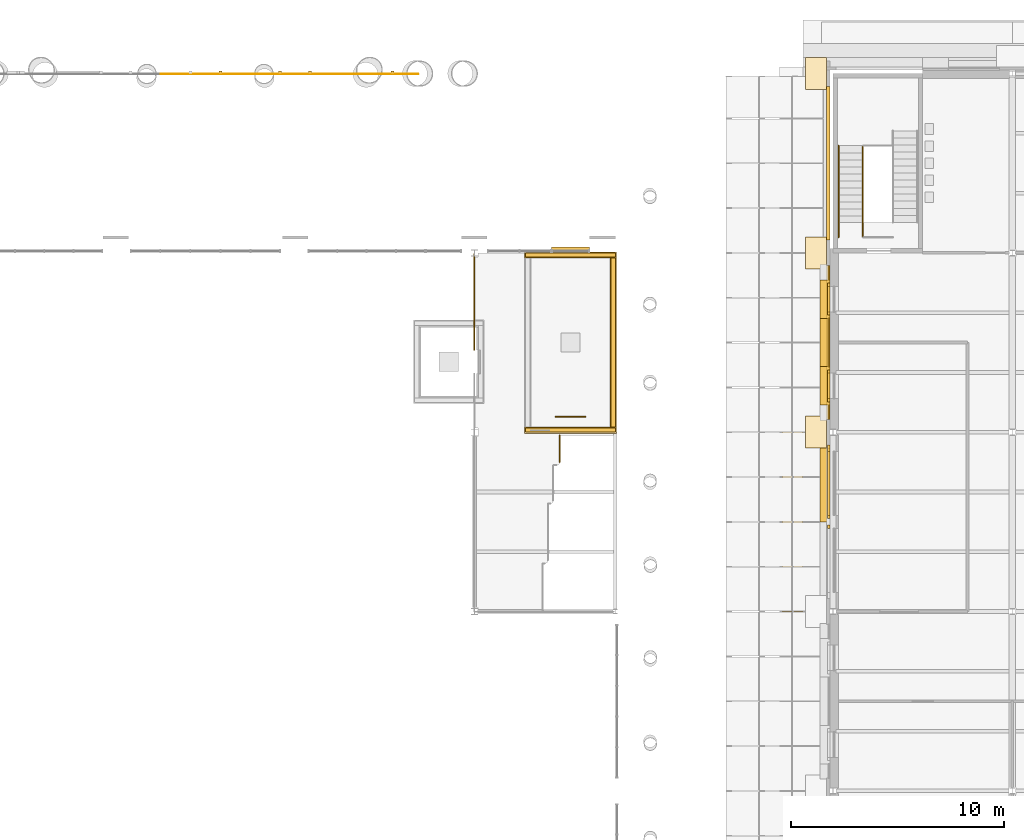
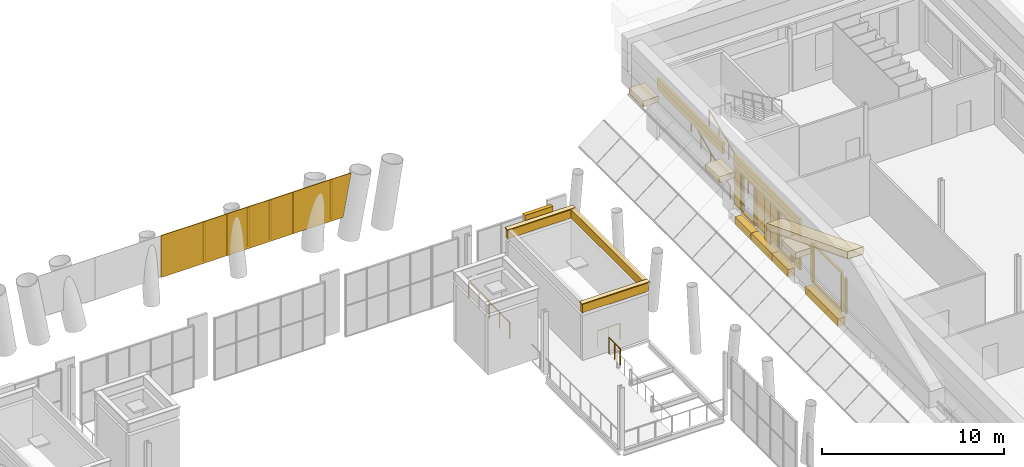
# One storey, part 69 of 76: 42 coverings, 5 railings.
"""IFC4 building model written with IfcOpenShell, lengths in metres."""

from ifc_helpers import new_model, si_unit, direction, frame, origin, origin_2d, place, context, subcontext, project, spatial, polyline, rectangle, circle, outline, extrude, material, layer, layer_set, material_profile, profile_set, type_object, element, save


model = new_model("IFC4")

# Units and contexts
model_context = context("Model", 3, precision=1e-05, world=origin(), true_north=direction((0.0, 1.0)))
body_context = subcontext(model_context, "Body", "Model", "MODEL_VIEW")
ifc_project = project(units=[si_unit("LENGTHUNIT", "METRE"), si_unit("AREAUNIT", "SQUARE_METRE"), si_unit("VOLUMEUNIT", "CUBIC_METRE"), si_unit("PLANEANGLEUNIT", "RADIAN"), si_unit("MASSUNIT", "GRAM", prefix="KILO")], contexts=[model_context])

# Site, building, storey
site_placement = place(None, origin())
site = spatial("IfcSite", under=ifc_project, at=site_placement, CompositionType="ELEMENT")
building_placement = place(site_placement, origin())
building = spatial("IfcBuilding", under=site, at=building_placement, Name="Sava Quay Ferry Terminal", CompositionType="ELEMENT")
storey_placement = place(building_placement, frame((0.0, 0.0, 10.800048828125)))
storey = spatial("IfcBuildingStorey", under=building, at=storey_placement, Name="L02", CompositionType="ELEMENT", Elevation=10.800048828125)

# Covering
ifc_material_1 = material(Name="Copper patinated")
ifc_layer_1 = layer(ifc_material_1, 0.25)
ifc_layer_set_1 = layer_set([ifc_layer_1], Name="Copper patinated")
covering_type_1 = type_object("IfcCoveringType", Name="Copper spandrel panel 250", PredefinedType="CLADDING", material=ifc_layer_set_1)
covering_1_placement = place(storey_placement, frame((79.219970703125, 100.9599609375, 3.449951171875), z_axis=(0.0, 0.0, 1.0), x_axis=(1.0, 0.0, 0.0)))
element("IfcCovering", 1, at=covering_1_placement, inside=storey, type_object=covering_type_1, Name="Spandrel panel D-N", PredefinedType="CLADDING", context=body_context, shape_type="SweptSolid", body=[
    extrude(outline(polyline([(0.0, 0.0), (1.780029296875, 0.0), (1.780029296875, 0.75), (0.0, 0.75), (0.0, 0.0)])), frame((0.0, 0.125, 0.0), z_axis=(0.0, -1.0, 0.0), x_axis=(1.0, 0.0, 0.0)), (0.0, 0.0, 1.0), 0.25),
])

# Railings
ifc_material_2 = material(Name="Steel S355", Category="steel")
railing_type_1 = type_object("IfcRailingType", Name="Guard 1100", PredefinedType="GUARDRAIL", material=ifc_material_2)
railing_1_placement = place(storey_placement, frame((79.39990234375, 93.1298828125, 0.0)))
element("IfcRailing", 2, at=railing_1_placement, inside=storey, type_object=railing_type_1, Name="Guard at stair well ST-D6 L02", PredefinedType="GUARDRAIL", context=body_context, shape_type="SweptSolid", body=[
    extrude(circle(Radius=0.02392578125, at=origin_2d()), frame((0.0, 0.0, 1.076171875), z_axis=(1.0, 0.0, 0.0), x_axis=(0.0, 1.0, 0.0)), (0.0, 0.0, 1.0), 1.400146484375),
    extrude(circle(Radius=0.02099609375, at=origin_2d()), origin(), (0.0, 0.0, 1.0), 1.052001953125),
    extrude(circle(Radius=0.02099609375, at=origin_2d()), frame((0.7001953125, 0.0, 0.0)), (0.0, 0.0, 1.0), 1.052001953125),
    extrude(circle(Radius=0.02099609375, at=origin_2d()), frame((1.400146484375, 0.0, 0.0)), (0.0, 0.0, 1.0), 1.052001953125),
])
railing_2_placement = place(storey_placement, frame((93.800048828125, 101.530029296875, 0.14990234375)))
element("IfcRailing", 3, at=railing_2_placement, inside=storey, type_object=railing_type_1, Name="Guard at stair well ST-O3 L02", PredefinedType="GUARDRAIL", context=body_context, shape_type="SweptSolid", body=[
    extrude(circle(Radius=0.02392578125, at=origin_2d()), frame((0.0, 0.0, 1.076171875), z_axis=(0.0, 0.910371800137, 0.413791234219), x_axis=(-1.0, 0.0, 0.0)), (0.0, 0.0, 1.0), 4.71240234375),
    extrude(circle(Radius=0.02099609375, at=origin_2d()), origin(), (0.0, 0.0, 1.0), 1.052001953125),
    extrude(circle(Radius=0.02099609375, at=origin_2d()), frame((0.0, 1.072509765625, 0.487548828125)), (0.0, 0.0, 1.0), 1.052001953125),
    extrude(circle(Radius=0.02099609375, at=origin_2d()), frame((0.0, 2.14501953125, 0.97509765625)), (0.0, 0.0, 1.0), 1.052001953125),
    extrude(circle(Radius=0.02099609375, at=origin_2d()), frame((0.0, 3.217529296875, 1.46240234375)), (0.0, 0.0, 1.0), 1.052001953125),
    extrude(circle(Radius=0.02099609375, at=origin_2d()), frame((0.0, 4.2900390625, 1.949951171875)), (0.0, 0.0, 1.0), 1.052001953125),
])
railing_3_placement = place(storey_placement, frame((75.60009765625, 96.25, 0.0)))
element("IfcRailing", 4, at=railing_3_placement, inside=storey, type_object=railing_type_1, Name="Mezzanine guard", PredefinedType="GUARDRAIL", context=body_context, shape_type="SweptSolid", body=[
    extrude(circle(Radius=0.02392578125, at=origin_2d()), frame((0.0, 0.0, 1.076171875), z_axis=(0.0, 1.0, 0.0), x_axis=(-1.0, 0.0, 0.0)), (0.0, 0.0, 1.0), 4.489990234375),
    extrude(circle(Radius=0.02099609375, at=origin_2d()), origin(), (0.0, 0.0, 1.0), 1.052001953125),
    extrude(circle(Radius=0.02099609375, at=origin_2d()), frame((0.0, 1.12255859375, 0.0)), (0.0, 0.0, 1.0), 1.052001953125),
    extrude(circle(Radius=0.02099609375, at=origin_2d()), frame((0.0, 2.2451171875, 0.0)), (0.0, 0.0, 1.0), 1.052001953125),
    extrude(circle(Radius=0.02099609375, at=origin_2d()), frame((0.0, 3.367431640625, 0.0)), (0.0, 0.0, 1.0), 1.052001953125),
    extrude(circle(Radius=0.02099609375, at=origin_2d()), frame((0.0, 4.489990234375, 0.0)), (0.0, 0.0, 1.0), 1.052001953125),
])
railing_4_placement = place(storey_placement, frame((79.60009765625, 92.25, 0.0)))
element("IfcRailing", 5, at=railing_4_placement, inside=storey, type_object=railing_type_1, Name="Mezzanine guard", PredefinedType="GUARDRAIL", context=body_context, shape_type="SweptSolid", body=[
    extrude(circle(Radius=0.02392578125, at=origin_2d()), frame((0.0, 0.0, 1.076171875), z_axis=(0.0, -1.0, 0.0), x_axis=(1.0, 0.0, 0.0)), (0.0, 0.0, 1.0), 1.25),
    extrude(circle(Radius=0.02099609375, at=origin_2d()), origin(), (0.0, 0.0, 1.0), 1.052001953125),
    extrude(circle(Radius=0.02099609375, at=origin_2d()), frame((0.0, -0.625, 0.0)), (0.0, 0.0, 1.0), 1.052001953125),
    extrude(circle(Radius=0.02099609375, at=origin_2d()), frame((0.0, -1.25, 0.0)), (0.0, 0.0, 1.0), 1.052001953125),
])

# Coverings
ifc_material_3 = material(Name="Limestone Mutalj", Category="masonry")
ifc_layer_2 = layer(ifc_material_3, 0.080078125)
ifc_layer_set_2 = layer_set([ifc_layer_2], Name="Limestone Mutalj")
covering_type_2 = type_object("IfcCoveringType", Name="Light stone cladding 80", PredefinedType="CLADDING", material=ifc_layer_set_2)
covering_2_placement = place(storey_placement, frame((92.2099609375, 93.33447265625, 0.75), z_axis=(0.0, 0.0, 1.0), x_axis=(1.0, 0.0, 0.0)))
element("IfcCovering", 6, at=covering_2_placement, inside=storey, type_object=covering_type_2, Name="Light stone cladding", PredefinedType="CLADDING", context=body_context, shape_type="SweptSolid", body=[
    extrude(rectangle(XDim=0.080078125, YDim=0.668701171875, at=origin_2d()), origin(), (0.0, 0.0, 1.0), 2.699951171875),
])
covering_3_placement = place(storey_placement, frame((92.2099609375, 95.86865234375, 0.75), z_axis=(0.0, 0.0, 1.0), x_axis=(1.0, 0.0, 0.0)))
element("IfcCovering", 7, at=covering_3_placement, inside=storey, type_object=covering_type_2, Name="Light stone cladding", PredefinedType="CLADDING", context=body_context, shape_type="SweptSolid", body=[
    extrude(rectangle(XDim=0.080078125, YDim=0.800048828125, at=origin_2d()), origin(), (0.0, 0.0, 1.0), 2.699951171875),
])
covering_4_placement = place(storey_placement, frame((92.2099609375, 96.60009765625, 0.5), z_axis=(0.0, 0.0, 1.0), x_axis=(1.0, 0.0, 0.0)))
element("IfcCovering", 8, at=covering_4_placement, inside=storey, type_object=covering_type_2, Name="Light stone cladding", PredefinedType="CLADDING", context=body_context, shape_type="SweptSolid", body=[
    extrude(rectangle(XDim=0.080078125, YDim=0.66259765625, at=origin_2d()), origin(), (0.0, 0.0, 1.0), 2.949951171875),
])
covering_5_placement = place(storey_placement, frame((92.2099609375, 97.331298828125, 0.800048828125), z_axis=(0.0, 0.0, 1.0), x_axis=(1.0, 0.0, 0.0)))
element("IfcCovering", 9, at=covering_5_placement, inside=storey, type_object=covering_type_2, Name="Light stone cladding", PredefinedType="CLADDING", context=body_context, shape_type="SweptSolid", body=[
    extrude(rectangle(XDim=0.080078125, YDim=0.800048828125, at=origin_2d()), origin(), (0.0, 0.0, 1.0), 2.64990234375),
])
covering_6_placement = place(storey_placement, frame((92.2099609375, 99.865478515625, 0.800048828125), z_axis=(0.0, 0.0, 1.0), x_axis=(1.0, 0.0, 0.0)))
element("IfcCovering", 10, at=covering_6_placement, inside=storey, type_object=covering_type_2, Name="Light stone cladding", PredefinedType="CLADDING", context=body_context, shape_type="SweptSolid", body=[
    extrude(rectangle(XDim=0.080078125, YDim=0.668701171875, at=origin_2d()), origin(), (0.0, 0.0, 1.0), 2.64990234375),
])
ifc_material_4 = material(Name="Limestone Mutalj", Category="masonry")
ifc_layer_3 = layer(ifc_material_4, 0.14990234375)
ifc_layer_set_3 = layer_set([ifc_layer_3], Name="Limestone Mutalj")
covering_type_3 = type_object("IfcCoveringType", Name="Limestone string course 150", PredefinedType="CLADDING", material=ifc_layer_set_3)
covering_7_placement = place(storey_placement, frame((0.0, 0.0, 3.449951171875)))
element("IfcCovering", 11, at=covering_7_placement, inside=storey, type_object=covering_type_3, Name="String course O-W", PredefinedType="CLADDING", context=body_context, shape_type="SweptSolid", body=[
    extrude(outline(polyline([(92.25, 93.0), (92.25, 100.199951171875), (92.10009765625, 100.199951171875), (92.10009765625, 93.0), (92.25, 93.0)])), origin(), (0.0, 0.0, 1.0), 0.75),
])
covering_8_placement = place(storey_placement, frame((0.0, 0.0, 3.449951171875)))
element("IfcCovering", 12, at=covering_8_placement, inside=storey, type_object=covering_type_3, Name="String course O-W", PredefinedType="CLADDING", context=body_context, shape_type="SweptSolid", body=[
    extrude(outline(polyline([(92.25, 101.39990234375), (92.25, 108.60009765625), (92.10009765625, 108.60009765625), (92.10009765625, 101.39990234375), (92.25, 101.39990234375)])), origin(), (0.0, 0.0, 1.0), 0.75),
])
ifc_material_5 = material(Name="Limestone Mutalj", Category="masonry")
ifc_layer_4 = layer(ifc_material_5, 0.050048828125)
ifc_layer_set_4 = layer_set([ifc_layer_4], Name="Limestone Mutalj")
covering_type_4 = type_object("IfcCoveringType", Name="Overrun coping 300", PredefinedType="MOLDING", material=ifc_layer_set_4)
for number, where, z_axis, x_axis, name in (
    (13, (80.10009765625, 92.5, 3.7998046875), (0.0, 0.0, 1.0), (1.0, 0.0, 0.0), "Overrun coping ST-D6 S"),
    (14, (80.10009765625, 100.699951171875, 3.7998046875), (0.0, 0.0, 1.0), (1.0, 0.0, 0.0), "Overrun coping ST-D6 N"),
):
    element("IfcCovering", number, at=place(storey_placement, frame(where, z_axis=z_axis, x_axis=x_axis)), inside=storey, type_object=covering_type_4, Name=name, PredefinedType="MOLDING", context=body_context, shape_type="SweptSolid", body=[
        extrude(rectangle(XDim=4.300048828125, YDim=0.300048828125, at=origin_2d()), origin(), (0.0, 0.0, 1.0), 0.050048828125),
    ])
covering_9_placement = place(storey_placement, frame((82.10009765625, 96.60009765625, 3.7998046875), z_axis=(0.0, 0.0, 1.0), x_axis=(1.0, 0.0, 0.0)))
element("IfcCovering", 15, at=covering_9_placement, inside=storey, type_object=covering_type_4, Name="Overrun coping ST-D6 E", PredefinedType="MOLDING", context=body_context, shape_type="SweptSolid", body=[
    extrude(rectangle(XDim=0.300048828125, YDim=7.89990234375, at=origin_2d()), origin(), (0.0, 0.0, 1.0), 0.050048828125),
])
ifc_material_6 = material(Name="Limestone Mutalj", Category="masonry")
ifc_layer_5 = layer(ifc_material_6, 0.199951171875)
ifc_layer_set_5 = layer_set([ifc_layer_5], Name="Limestone Mutalj")
covering_type_5 = type_object("IfcCoveringType", Name="Overrun parapet 200", PredefinedType="MOLDING", material=ifc_layer_set_5)
for number, where, z_axis, x_axis, name in (
    (16, (80.10009765625, 92.5, 3.199951171875), (0.0, 0.0, 1.0), (1.0, 0.0, 0.0), "Overrun parapet ST-D6 S"),
    (17, (80.10009765625, 100.699951171875, 3.199951171875), (0.0, 0.0, 1.0), (1.0, 0.0, 0.0), "Overrun parapet ST-D6 N"),
):
    element("IfcCovering", number, at=place(storey_placement, frame(where, z_axis=z_axis, x_axis=x_axis)), inside=storey, type_object=covering_type_5, Name=name, PredefinedType="MOLDING", context=body_context, shape_type="SweptSolid", body=[
        extrude(rectangle(XDim=4.199951171875, YDim=0.199951171875, at=origin_2d()), origin(), (0.0, 0.0, 1.0), 0.60009765625),
    ])
covering_10_placement = place(storey_placement, frame((82.10009765625, 96.60009765625, 3.199951171875), z_axis=(0.0, 0.0, 1.0), x_axis=(1.0, 0.0, 0.0)))
element("IfcCovering", 18, at=covering_10_placement, inside=storey, type_object=covering_type_5, Name="Overrun parapet ST-D6 E", PredefinedType="MOLDING", context=body_context, shape_type="SweptSolid", body=[
    extrude(rectangle(XDim=0.199951171875, YDim=8.0, at=origin_2d()), origin(), (0.0, 0.0, 1.0), 0.60009765625),
])
ifc_material_7 = material(Name="Limestone Mutalj", Category="masonry")
ifc_layer_6 = layer(ifc_material_7, 1.0)
ifc_layer_set_6 = layer_set([ifc_layer_6], Name="Limestone Mutalj")
covering_type_6 = type_object("IfcCoveringType", Name="Pilaster capital block 1500", PredefinedType="MOLDING", material=ifc_layer_set_6)
for number, where, z_axis, x_axis, name in (
    (19, (91.60009765625, 92.39990234375, 2.699951171875), (0.0, 0.0, 1.0), (1.0, 0.0, 0.0), "Giant-order capital"),
    (20, (91.60009765625, 100.800048828125, 2.699951171875), (0.0, 0.0, 1.0), (1.0, 0.0, 0.0), "Giant-order capital"),
    (21, (91.60009765625, 109.199951171875, 2.699951171875), (0.0, 0.0, 1.0), (1.0, 0.0, 0.0), "Giant-order capital"),
):
    element("IfcCovering", number, at=place(storey_placement, frame(where, z_axis=z_axis, x_axis=x_axis)), inside=storey, type_object=covering_type_6, Name=name, PredefinedType="MOLDING", context=body_context, shape_type="SweptSolid", body=[
        extrude(rectangle(XDim=1.0, YDim=1.5, at=origin_2d()), origin(), (0.0, 0.0, 1.0), 0.39990234375),
    ])
ifc_material_8 = material(Name="Limestone Mutalj", Category="masonry")
ifc_layer_7 = layer(ifc_material_8, 0.1201171875)
ifc_layer_set_7 = layer_set([ifc_layer_7], Name="Limestone Mutalj")
covering_type_7 = type_object("IfcCoveringType", Name="Plain window architrave 150", PredefinedType="MOLDING", material=ifc_layer_set_7)
for number, where, z_axis, x_axis, name in (
    (22, (92.18994140625, 87.97509765625, 0.89990234375), (0.0, 0.0, 1.0), (1.0, 0.0, 0.0), "Plain window architrave"),
    (23, (92.18994140625, 88.425048828125, 0.89990234375), (0.0, 0.0, 1.0), (1.0, 0.0, 0.0), "Plain window architrave"),
):
    element("IfcCovering", number, at=place(storey_placement, frame(where, z_axis=z_axis, x_axis=x_axis)), inside=storey, type_object=covering_type_7, Name=name, PredefinedType="MOLDING", context=body_context, shape_type="SweptSolid", body=[
        extrude(rectangle(XDim=0.1201171875, YDim=0.14990234375, at=origin_2d()), origin(), (0.0, 0.0, 1.0), 2.39990234375),
    ])
covering_11_placement = place(storey_placement, frame((92.18994140625, 91.64990234375, 0.89990234375), z_axis=(0.0, 0.0, 1.0), x_axis=(1.0, 0.0, 0.0)))
element("IfcCovering", 24, at=covering_11_placement, inside=storey, type_object=covering_type_7, Name="Plain window architrave", PredefinedType="MOLDING", context=body_context, shape_type="SweptSolid", body=[
    extrude(rectangle(XDim=0.1201171875, YDim=0.300048828125, at=origin_2d()), origin(), (0.0, 0.0, 1.0), 2.39990234375),
])
for number, where, z_axis, x_axis, name in (
    (25, (92.18994140625, 90.0, 3.300048828125), (0.0, 0.0, 1.0), (1.0, 0.0, 0.0), "Plain window architrave"),
    (26, (92.18994140625, 90.0, 0.75), (0.0, 0.0, 1.0), (1.0, 0.0, 0.0), "Plain window architrave"),
):
    element("IfcCovering", number, at=place(storey_placement, frame(where, z_axis=z_axis, x_axis=x_axis)), inside=storey, type_object=covering_type_7, Name=name, PredefinedType="MOLDING", context=body_context, shape_type="SweptSolid", body=[
        extrude(rectangle(XDim=0.1201171875, YDim=3.300048828125, at=origin_2d()), origin(), (0.0, 0.0, 1.0), 0.14990234375),
    ])
for number, where, z_axis, x_axis, name in (
    (27, (92.18994140625, 93.893798828125, 0.89990234375), (0.0, 0.0, 1.0), (1.0, 0.0, 0.0), "Plain window architrave"),
    (28, (92.18994140625, 95.24365234375, 0.89990234375), (0.0, 0.0, 1.0), (1.0, 0.0, 0.0), "Plain window architrave"),
):
    element("IfcCovering", number, at=place(storey_placement, frame(where, z_axis=z_axis, x_axis=x_axis)), inside=storey, type_object=covering_type_7, Name=name, PredefinedType="MOLDING", context=body_context, shape_type="SweptSolid", body=[
        extrude(rectangle(XDim=0.1201171875, YDim=0.14990234375, at=origin_2d()), origin(), (0.0, 0.0, 1.0), 2.39990234375),
    ])
for number, where, z_axis, x_axis, name in (
    (29, (92.18994140625, 94.568603515625, 3.300048828125), (0.0, 0.0, 1.0), (1.0, 0.0, 0.0), "Plain window architrave"),
    (30, (92.18994140625, 94.568603515625, 0.75), (0.0, 0.0, 1.0), (1.0, 0.0, 0.0), "Plain window architrave"),
):
    element("IfcCovering", number, at=place(storey_placement, frame(where, z_axis=z_axis, x_axis=x_axis)), inside=storey, type_object=covering_type_7, Name=name, PredefinedType="MOLDING", context=body_context, shape_type="SweptSolid", body=[
        extrude(rectangle(XDim=0.1201171875, YDim=1.5, at=origin_2d()), origin(), (0.0, 0.0, 1.0), 0.14990234375),
    ])
for number, where, z_axis, x_axis, name in (
    (31, (92.18994140625, 97.956298828125, 0.89990234375), (0.0, 0.0, 1.0), (1.0, 0.0, 0.0), "Plain window architrave"),
    (32, (92.18994140625, 99.30615234375, 0.89990234375), (0.0, 0.0, 1.0), (1.0, 0.0, 0.0), "Plain window architrave"),
):
    element("IfcCovering", number, at=place(storey_placement, frame(where, z_axis=z_axis, x_axis=x_axis)), inside=storey, type_object=covering_type_7, Name=name, PredefinedType="MOLDING", context=body_context, shape_type="SweptSolid", body=[
        extrude(rectangle(XDim=0.1201171875, YDim=0.14990234375, at=origin_2d()), origin(), (0.0, 0.0, 1.0), 2.39990234375),
    ])
for number, where, z_axis, x_axis, name in (
    (33, (92.18994140625, 98.631103515625, 3.300048828125), (0.0, 0.0, 1.0), (1.0, 0.0, 0.0), "Plain window architrave"),
    (34, (92.18994140625, 98.631103515625, 0.75), (0.0, 0.0, 1.0), (1.0, 0.0, 0.0), "Plain window architrave"),
):
    element("IfcCovering", number, at=place(storey_placement, frame(where, z_axis=z_axis, x_axis=x_axis)), inside=storey, type_object=covering_type_7, Name=name, PredefinedType="MOLDING", context=body_context, shape_type="SweptSolid", body=[
        extrude(rectangle(XDim=0.1201171875, YDim=1.5, at=origin_2d()), origin(), (0.0, 0.0, 1.0), 0.14990234375),
    ])
ifc_material_9 = material(Name="Limestone Mutalj", Category="masonry")
ifc_layer_8 = layer(ifc_material_9, 1.0)
ifc_layer_set_8 = layer_set([ifc_layer_8], Name="Limestone Mutalj")
covering_type_8 = type_object("IfcCoveringType", Name="Portico raking cornice 1000", PredefinedType="MOLDING", material=ifc_layer_set_8)
covering_12_placement = place(storey_placement, frame((91.0, 84.0, 7.699951171875), z_axis=(1.0, 0.0, 0.0), x_axis=(0.0, 0.931318849213, -0.364204888903)))
element("IfcCovering", 35, at=covering_12_placement, inside=storey, type_object=covering_type_8, Name="Portico raking cornice", PredefinedType="MOLDING", context=body_context, shape_type="SweptSolid", body=[
    extrude(outline(polyline([(0.0, 0.0), (9.609975337062354, 0.0), (9.427872892610614, 0.46565942460633236), (-0.1821024444517412, 0.46565942460633236), (0.0, 0.0)])), origin(), (0.0, 0.0, -1.0), 1.0),
])
ifc_material_10 = material(Name="Limestone Mutalj", Category="masonry")
ifc_layer_9 = layer(ifc_material_10, 0.449951171875)
ifc_layer_set_9 = layer_set([ifc_layer_9], Name="Limestone Mutalj")
covering_type_9 = type_object("IfcCoveringType", Name="Projecting string course 500", PredefinedType="MOLDING", material=ifc_layer_set_9)
covering_13_placement = place(storey_placement, frame((92.02490234375, 90.0, 0.0), z_axis=(0.0, 0.0, 1.0), x_axis=(1.0, 0.0, 0.0)))
element("IfcCovering", 36, at=covering_13_placement, inside=storey, type_object=covering_type_9, Name="Projecting string course", PredefinedType="MOLDING", context=body_context, shape_type="SweptSolid", body=[
    extrude(rectangle(XDim=0.449951171875, YDim=3.60009765625, at=origin_2d()), origin(), (0.0, 0.0, 1.0), 0.5),
])
covering_14_placement = place(storey_placement, frame((92.02490234375, 94.568603515625, 0.0), z_axis=(0.0, 0.0, 1.0), x_axis=(1.0, 0.0, 0.0)))
element("IfcCovering", 37, at=covering_14_placement, inside=storey, type_object=covering_type_9, Name="Projecting string course", PredefinedType="MOLDING", context=body_context, shape_type="SweptSolid", body=[
    extrude(rectangle(XDim=0.449951171875, YDim=1.800048828125, at=origin_2d()), origin(), (0.0, 0.0, 1.0), 0.5),
])
covering_15_placement = place(storey_placement, frame((92.02490234375, 96.60009765625, 0.0), z_axis=(0.0, 0.0, 1.0), x_axis=(1.0, 0.0, 0.0)))
element("IfcCovering", 38, at=covering_15_placement, inside=storey, type_object=covering_type_9, Name="Projecting string course", PredefinedType="MOLDING", context=body_context, shape_type="SweptSolid", body=[
    extrude(rectangle(XDim=0.449951171875, YDim=2.262451171875, at=origin_2d()), origin(), (0.0, 0.0, 1.0), 0.5),
])
covering_16_placement = place(storey_placement, frame((92.02490234375, 98.631103515625, 0.0), z_axis=(0.0, 0.0, 1.0), x_axis=(1.0, 0.0, 0.0)))
element("IfcCovering", 39, at=covering_16_placement, inside=storey, type_object=covering_type_9, Name="Projecting string course", PredefinedType="MOLDING", context=body_context, shape_type="SweptSolid", body=[
    extrude(rectangle(XDim=0.449951171875, YDim=1.800048828125, at=origin_2d()), origin(), (0.0, 0.0, 1.0), 0.5),
])
ifc_material_11 = material(Name="Laminated glass", Category="glass")
ifc_layer_10 = layer(ifc_material_11, 0.0400390625)
ifc_layer_set_10 = layer_set([ifc_layer_10], Name="Laminated glass")
covering_type_10 = type_object("IfcCoveringType", Name="Prow end glazing 40", PredefinedType="CLADDING", material=ifc_layer_set_10)
covering_17_placement = place(storey_placement, frame((60.89990234375, 109.199951171875, 1.393310546875), z_axis=(0.0, 1.0, 0.0), x_axis=(0.0, 0.0, 1.0)))
element("IfcCovering", 40, at=covering_17_placement, inside=storey, type_object=covering_type_10, Name="Departure hall prow end glazing panel 8", PredefinedType="CLADDING", context=body_context, shape_type="SweptSolid", body=[
    extrude(outline(polyline([(0.0, 0.0), (2.813232421875, 0.0), (2.813232421875, 4.2001953125), (0.0, 4.2001953125), (0.0, 0.0)])), origin(), (0.0, 0.0, -1.0), 0.0400390625),
])
covering_18_placement = place(storey_placement, frame((65.10009765625, 109.199951171875, 1.393310546875), z_axis=(0.0, 1.0, 0.0), x_axis=(0.0, 0.0, 1.0)))
element("IfcCovering", 41, at=covering_18_placement, inside=storey, type_object=covering_type_10, Name="Departure hall prow end glazing panel 9", PredefinedType="CLADDING", context=body_context, shape_type="SweptSolid", body=[
    extrude(outline(polyline([(0.0, 0.0), (2.813232421875, 0.0), (2.813232421875, 4.199951171875), (0.0, 4.199951171875), (0.0, 0.0)])), origin(), (0.0, 0.0, -1.0), 0.0400390625),
])
covering_19_placement = place(storey_placement, frame((72.484619140625, 109.199951171875, 1.393310546875), z_axis=(0.0, 1.0, 0.0), x_axis=(-1.0, 0.0, 0.0)))
element("IfcCovering", 42, at=covering_19_placement, inside=storey, type_object=covering_type_10, Name="Departure hall prow end glazing panel 10", PredefinedType="CLADDING", context=body_context, shape_type="SweptSolid", body=[
    extrude(outline(polyline([(0.0, 0.0), (3.1845703125, 0.0), (3.1845703125, 2.813232421875), (-0.51611328125, 2.813232421875), (0.0, 0.0)])), origin(), (0.0, 0.0, -1.0), 0.0400390625),
])
ifc_material_12 = material(Name="Steel S355", Category="steel")
ifc_material_profile = material_profile(ifc_material_12, rectangle(XDim=0.139892578125, YDim=0.1201171875, at=origin_2d()), Name="Strip 140 x 120")
ifc_profile_set = profile_set([ifc_material_profile], Name="Steel S355")
covering_type_11 = type_object("IfcCoveringType", Name="Prow glazing bar 140 x 120", PredefinedType="CLADDING", material=ifc_profile_set)
for number, where, z_axis, x_axis, name in (
    (43, (63.699951171875, 109.260009765625, 1.4833984375), (0.0, 0.0, 1.0), (1.0, 0.0, 0.0), "Prow glazing bar"),
    (44, (67.900146484375, 109.260009765625, 1.4833984375), (0.0, 0.0, 1.0), (1.0, 0.0, 0.0), "Prow glazing bar"),
    (45, (66.5, 109.260009765625, 1.4833984375), (0.0, 0.0, 1.0), (1.0, 0.0, 0.0), "Prow glazing bar"),
    (46, (71.76708984375, 109.260009765625, 1.4833984375), (0.0, 0.0, 1.0), (1.0, 0.0, 0.0), "Prow glazing bar"),
):
    element("IfcCovering", number, at=place(storey_placement, frame(where, z_axis=z_axis, x_axis=x_axis)), inside=storey, type_object=covering_type_11, Name=name, PredefinedType="CLADDING", context=body_context, shape_type="SweptSolid", body=[
        extrude(rectangle(XDim=0.139892578125, YDim=0.1201171875, at=origin_2d()), origin(), (0.0, 0.0, 1.0), 2.633056640625),
    ])

# Railing
ifc_material_13 = material(Name="Steel S355", Category="steel")
railing_type_2 = type_object("IfcRailingType", Name="Stair handrail 900", PredefinedType="HANDRAIL", material=ifc_material_13)
railing_5_placement = place(storey_placement, frame((92.659912109375, 101.530029296875, 0.14990234375)))
element("IfcRailing", 47, at=railing_5_placement, inside=storey, type_object=railing_type_2, Name="Handrail ST-O3 L02", PredefinedType="HANDRAIL", context=body_context, shape_type="SweptSolid", body=[
    extrude(circle(Radius=0.02392578125, at=origin_2d()), frame((0.0, 0.0, 0.8759765625), z_axis=(0.0, 0.910371800137, 0.413791234219), x_axis=(-1.0, 0.0, 0.0)), (0.0, 0.0, 1.0), 4.71240234375),
    extrude(circle(Radius=0.02099609375, at=origin_2d()), origin(), (0.0, 0.0, 1.0), 0.851806640625),
    extrude(circle(Radius=0.02099609375, at=origin_2d()), frame((0.0, 1.072509765625, 0.487548828125)), (0.0, 0.0, 1.0), 0.851806640625),
    extrude(circle(Radius=0.02099609375, at=origin_2d()), frame((0.0, 2.14501953125, 0.97509765625)), (0.0, 0.0, 1.0), 0.851806640625),
    extrude(circle(Radius=0.02099609375, at=origin_2d()), frame((0.0, 3.217529296875, 1.46240234375)), (0.0, 0.0, 1.0), 0.851806640625),
    extrude(circle(Radius=0.02099609375, at=origin_2d()), frame((0.0, 4.2900390625, 1.949951171875)), (0.0, 0.0, 1.0), 0.851806640625),
])

save(model, "model.ifc")
